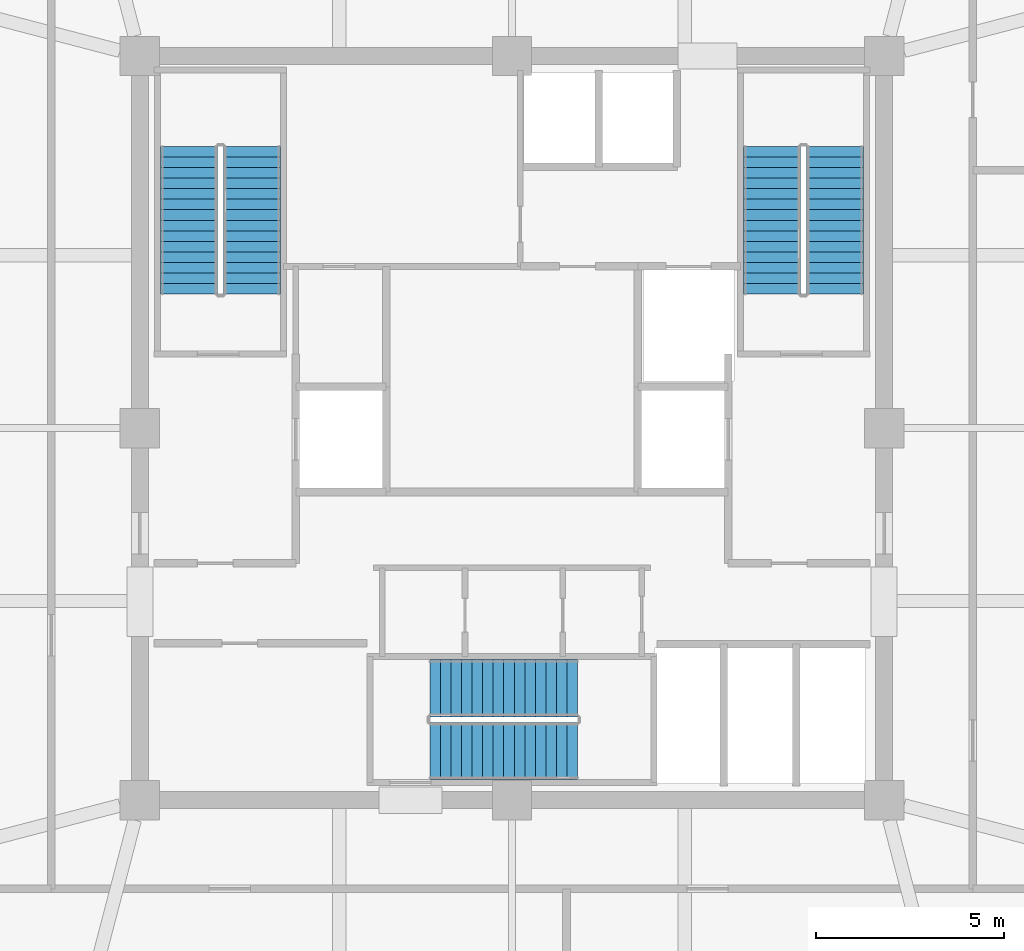
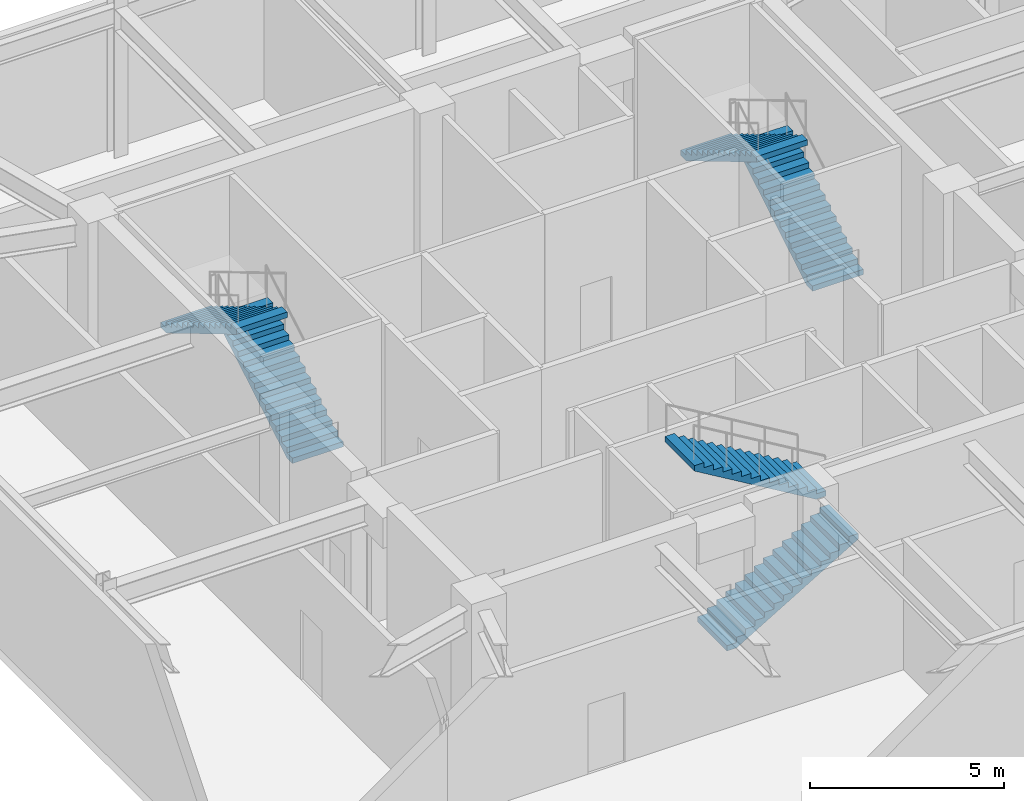
# One storey, part 4 of 5: 6 stair flights, 3 elements without a shape of their own.
"""IFC4 building model written with IfcOpenShell, lengths in metres."""

import ifcopenshell
import ifcopenshell.guid

model = None  # the IFC model being written
_history = None  # IfcOwnerHistory: only IFC2X3 demands one
_inside = {}  # id of a spatial element -> (the spatial element, [elements in it])
_under = {}  # id of a project, library or spatial element -> (it, [spatial elements below it])
_declared = {}  # id of a project -> (the project, [libraries it declares])
_typed = {}  # id of a type object -> (the type object, [elements of that type])
_made_of = {}  # id of a material, layer set ... -> (it, [elements and type objects made of it])


def new_model(schema):
    """Start an empty IFC model of exactly this schema.

    Asked for "IFC4X3", IfcOpenShell would pick the latest addendum, in which some entities
    have other attributes; the version numbers below select the first issue.
    IFC2X3 requires an IfcOwnerHistory on every rooted entity: one is made here for all.
    """
    global model, _history
    if schema == "IFC4X3":
        model = ifcopenshell.file(schema_version=(4, 3, 0, 0))
    else:
        model = ifcopenshell.file(schema=schema)
    _inside.clear()
    _under.clear()
    _declared.clear()
    _typed.clear()
    _made_of.clear()
    _history = None
    if model.schema == "IFC2X3":
        org = make("IfcOrganization", Name="unknown")
        user = make(
            "IfcPersonAndOrganization",
            ThePerson=make("IfcPerson", FamilyName="unknown"),
            TheOrganization=org,
        )
        app = make(
            "IfcApplication",
            ApplicationDeveloper=org,
            Version="unknown",
            ApplicationFullName="unknown",
            ApplicationIdentifier="unknown",
        )
        _history = make(
            "IfcOwnerHistory",
            OwningUser=user,
            OwningApplication=app,
            ChangeAction="ADDED",
            CreationDate=0,
        )
    return model


def make(cls, **values):
    """One entity of the class cls with the attributes given. An attribute that is None is left unset."""
    return model.create_entity(
        cls, **{name: value for name, value in values.items() if value is not None}
    )


def rooted(cls, **values):
    """An entity with a GlobalId (a new one), such as an element, a storey or a relation."""
    return make(cls, GlobalId=ifcopenshell.guid.new(), OwnerHistory=_history, **values)


def si_unit(unit_type, name, prefix=None):
    """IfcSIUnit, for example si_unit("LENGTHUNIT", "METRE", prefix="MILLI")."""
    return make("IfcSIUnit", UnitType=unit_type, Prefix=prefix, Name=name)


def assignment(units):
    """IfcUnitAssignment: the units of a project."""
    return None if units is None else make("IfcUnitAssignment", Units=units)


def point(xyz):
    """IfcCartesianPoint."""
    return None if xyz is None else make("IfcCartesianPoint", Coordinates=xyz)


def direction(xyz):
    """IfcDirection."""
    return None if xyz is None else make("IfcDirection", DirectionRatios=xyz)


def frame(location, z_axis=None, x_axis=None):
    """IfcAxis2Placement3D, a coordinate frame: its origin and axes. An axis left out is left unset."""
    return make(
        "IfcAxis2Placement3D",
        Location=point(location),
        Axis=direction(z_axis),
        RefDirection=direction(x_axis),
    )


def origin():
    """The frame at (0, 0, 0) with its axes left unset."""
    return frame((0.0, 0.0, 0.0))


def place(relative_to, where):
    """IfcLocalPlacement: puts the frame where relative to a parent placement (None: the world)."""
    return make(
        "IfcLocalPlacement", PlacementRelTo=relative_to, RelativePlacement=where
    )


def context(
    kind, dimensions, precision=None, world=None, true_north=None, identifier=None
):
    """IfcGeometricRepresentationContext, for example the 3D "Model" context."""
    return make(
        "IfcGeometricRepresentationContext",
        ContextIdentifier=identifier,
        ContextType=kind,
        CoordinateSpaceDimension=dimensions,
        Precision=precision,
        WorldCoordinateSystem=world,
        TrueNorth=true_north,
    )


def subcontext(parent, identifier, kind, view, scale=None):
    """IfcGeometricRepresentationSubContext, for example "Body" below "Model"."""
    return make(
        "IfcGeometricRepresentationSubContext",
        ContextIdentifier=identifier,
        ContextType=kind,
        ParentContext=parent,
        TargetScale=scale,
        TargetView=view,
    )


def project(units=None, contexts=None):
    """IfcProject with its units and contexts."""
    return rooted(
        "IfcProject",
        Name="project",
        RepresentationContexts=contexts,
        UnitsInContext=assignment(units),
    )


def spatial(cls, under=None, at=None, **own):
    """A site, building, storey or space (cls), placed at a placement, below another one or the project."""
    s = rooted(cls, ObjectPlacement=at, **own)
    if under is not None:
        _under.setdefault(under.id(), (under, []))[1].append(s)
    return s


def polyline(points):
    """IfcPolyline through the points."""
    return make("IfcPolyline", Points=[point(p) for p in points])


def outline(outer, holes=None, kind="AREA"):
    """IfcArbitraryClosedProfileDef: a profile drawn as a closed curve; with holes, ...WithVoids."""
    if holes is None:
        return make("IfcArbitraryClosedProfileDef", ProfileType=kind, OuterCurve=outer)
    return make(
        "IfcArbitraryProfileDefWithVoids",
        ProfileType=kind,
        OuterCurve=outer,
        InnerCurves=holes,
    )


def extrude(swept, where, along, depth):
    """IfcExtrudedAreaSolid: the profile swept, set in the frame where, extruded along a direction by depth."""
    return make(
        "IfcExtrudedAreaSolid",
        SweptArea=swept,
        Position=where,
        ExtrudedDirection=direction(along),
        Depth=depth,
    )


def shape(context_of_items, identifier, shape_type, items):
    """IfcShapeRepresentation: the items that make up one representation, for example the "Body"."""
    return make(
        "IfcShapeRepresentation",
        ContextOfItems=context_of_items,
        RepresentationIdentifier=identifier,
        RepresentationType=shape_type,
        Items=items,
    )


def material(Name=None, Category=None):
    """IfcMaterial."""
    return make("IfcMaterial", Name=Name, Category=Category)


def made_of(thing, what):
    """Note that an element or type object is made of a material, layer set ...; save() writes the relation."""
    if what is not None:
        _made_of.setdefault(what.id(), (what, []))[1].append(thing)
    return thing


def type_object(cls, material=None, **own):
    """A type object (cls), such as IfcWallType, which elements share."""
    return made_of(rooted(cls, **own), material)


def element(
    cls,
    number,
    at=None,
    inside=None,
    cuts=None,
    type_object=None,
    material=None,
    context=None,
    identifier="Body",
    shape_type=None,
    held_by="IfcProductDefinitionShape",
    body=None,
    shapes=None,
    **own,
):
    """One element of the class cls, such as IfcWall. Its Tag is "e" and its number.

    at: its placement. inside: the storey or other place that contains it. cuts: it is an
    opening in that element (IfcRelVoidsElement). A single representation is given by context,
    identifier, shape_type and body (its items); several are given by shapes. held_by: the class
    of the entity that holds the representations. save() writes the other relations.
    """
    e = rooted(cls, Tag="e%d" % number, ObjectPlacement=at, **own)
    if body is not None:
        shapes = [shape(context, identifier, shape_type, body)]
    if shapes is not None:
        e.Representation = make(held_by, Representations=shapes)
    if inside is not None:
        _inside.setdefault(inside.id(), (inside, []))[1].append(e)
    if cuts is not None:
        rooted(
            "IfcRelVoidsElement", RelatingBuildingElement=cuts, RelatedOpeningElement=e
        )
    if type_object is not None:
        _typed.setdefault(type_object.id(), (type_object, []))[1].append(e)
    return made_of(e, material)


def aggregate(whole, parts):
    """IfcRelAggregates: a whole, such as a stair, and the parts it consists of."""
    return rooted("IfcRelAggregates", RelatingObject=whole, RelatedObjects=parts)


def save(model, path):
    """Write the relations noted so far, then the file.

    IfcRelAggregates (storeys below a building ...), IfcRelContainedInSpatialStructure (elements
    in a storey), IfcRelDefinesByType, IfcRelAssociatesMaterial and IfcRelDeclares: one each for
    every whole, place, type object, material and project.
    """
    for whole, parts in _under.values():
        aggregate(whole, parts)
    for where, things in _inside.values():
        rooted(
            "IfcRelContainedInSpatialStructure",
            RelatedElements=things,
            RelatingStructure=where,
        )
    for kind, things in _typed.values():
        rooted("IfcRelDefinesByType", RelatedObjects=things, RelatingType=kind)
    for what, things in _made_of.values():
        rooted("IfcRelAssociatesMaterial", RelatedObjects=things, RelatingMaterial=what)
    for by, libraries in _declared.values():
        rooted("IfcRelDeclares", RelatingContext=by, RelatedDefinitions=libraries)
    model.write(path)


model = new_model("IFC4")

# Units and contexts
model_context = context("Model", 3, precision=1e-05, world=origin(), true_north=direction((0.0, 1.0)))
body_context = subcontext(model_context, "Body", "Model", "MODEL_VIEW")
ifc_project = project(units=[si_unit("LENGTHUNIT", "METRE"), si_unit("AREAUNIT", "SQUARE_METRE"), si_unit("VOLUMEUNIT", "CUBIC_METRE"), si_unit("PLANEANGLEUNIT", "RADIAN"), si_unit("MASSUNIT", "GRAM", prefix="KILO")], contexts=[model_context])

# Site, building, storey
site_placement = place(None, origin())
site = spatial("IfcSite", under=ifc_project, at=site_placement, CompositionType="ELEMENT")
building_placement = place(site_placement, origin())
building = spatial("IfcBuilding", under=site, at=building_placement, Name="Kolvaren Belvedere", CompositionType="ELEMENT")
storey_placement = place(building_placement, frame((0.0, 0.0, 272.39990234375)))
storey = spatial("IfcBuildingStorey", under=building, at=storey_placement, Name="L78", CompositionType="ELEMENT", Elevation=272.39990234375)

# Stair, stair flights
ifc_material_1 = material(Name="Concrete C50/60", Category="concrete")
stair_type = type_object("IfcStairType", Name="ST-CORE-1520", PredefinedType="HALF_TURN_STAIR", material=ifc_material_1)
stair_1_placement = place(storey_placement, origin())
stair_1 = element("IfcStair", 1, at=stair_1_placement, inside=storey, type_object=stair_type, Name="L78 Protected Exit Stair ST-1", PredefinedType="HALF_TURN_STAIR")
ifc_material_2 = material(Name="Concrete C50/60", Category="concrete")
stair_flight_type = type_object("IfcStairFlightType", Name="SF-STR-1520", PredefinedType="STRAIGHT", material=ifc_material_2)
stair_flight_1_placement = place(storey_placement, frame((-6.919921875, 3.570068359375, 0.0), z_axis=(0.0, 0.0, 1.0), x_axis=(0.0, 1.0, 0.0)))
stair_flight_1 = element("IfcStairFlight", 2, at=stair_flight_1_placement, type_object=stair_flight_type, Name="ST-1 flight 1", NumberOfRisers=15, NumberOfTreads=14, PredefinedType="STRAIGHT", RiserHeight=0.166666667, TreadLength=0.28, context=body_context, shape_type="SweptSolid", body=[
    extrude(outline(polyline([(0.0, 0.0), (0.0, 0.166748046875), (0.280029296875, 0.166748046875), (0.280029296875, 0.333251953125), (0.56005859375, 0.333251953125), (0.56005859375, 0.5), (0.840087890625, 0.5), (0.840087890625, 0.666748046875), (1.1201171875, 0.666748046875), (1.1201171875, 0.833251953125), (1.39990234375, 0.833251953125), (1.39990234375, 1.0), (1.679931640625, 1.0), (1.679931640625, 1.166748046875), (1.9599609375, 1.166748046875), (1.9599609375, 1.333251953125), (2.239990234375, 1.333251953125), (2.239990234375, 1.5), (2.52001953125, 1.5), (2.52001953125, 1.666748046875), (2.800048828125, 1.666748046875), (2.800048828125, 1.833251953125), (3.080078125, 1.833251953125), (3.080078125, 2.0), (3.360107421875, 2.0), (3.360107421875, 2.166748046875), (3.639892578125, 2.166748046875), (3.639892578125, 2.333251953125), (3.919921875, 2.333251953125), (3.919921875, 2.5), (3.919921875, 2.158935546875), (0.29296875, 0.0), (0.0, 0.0)])), frame((0.0, 0.760009765625, 0.0), z_axis=(0.0, -1.0, 0.0), x_axis=(1.0, 0.0, 0.0)), (0.0, 0.0, 1.0), 1.52001953125),
])
stair_flight_2_placement = place(storey_placement, frame((-8.590087890625, 7.489990234375, 2.5), z_axis=(0.0, 0.0, 1.0), x_axis=(0.0, -1.0, 0.0)))
stair_flight_2 = element("IfcStairFlight", 3, at=stair_flight_2_placement, type_object=stair_flight_type, Name="ST-1 flight 2", NumberOfRisers=15, NumberOfTreads=14, PredefinedType="STRAIGHT", RiserHeight=0.166666667, TreadLength=0.28, context=body_context, shape_type="SweptSolid", body=[
    extrude(outline(polyline([(0.0, 0.0), (0.0, 0.166748046875), (0.280029296875, 0.166748046875), (0.280029296875, 0.333251953125), (0.56005859375, 0.333251953125), (0.56005859375, 0.5), (0.840087890625, 0.5), (0.840087890625, 0.666748046875), (1.1201171875, 0.666748046875), (1.1201171875, 0.833251953125), (1.39990234375, 0.833251953125), (1.39990234375, 1.0), (1.679931640625, 1.0), (1.679931640625, 1.166748046875), (1.9599609375, 1.166748046875), (1.9599609375, 1.333251953125), (2.239990234375, 1.333251953125), (2.239990234375, 1.5), (2.52001953125, 1.5), (2.52001953125, 1.666748046875), (2.800048828125, 1.666748046875), (2.800048828125, 1.833251953125), (3.080078125, 1.833251953125), (3.080078125, 2.0), (3.360107421875, 2.0), (3.360107421875, 2.166748046875), (3.639892578125, 2.166748046875), (3.639892578125, 2.333251953125), (3.919921875, 2.333251953125), (3.919921875, 2.5), (3.919921875, 2.158935546875), (0.29296875, 0.0), (0.0, 0.0)])), frame((0.0, 0.760009765625, 0.0), z_axis=(0.0, -1.0, 0.0), x_axis=(1.0, 0.0, 0.0)), (0.0, 0.0, 1.0), 1.52001953125),
])
aggregate(stair_1, [stair_flight_1, stair_flight_2])

stair_2_placement = place(storey_placement, origin())
stair_2 = element("IfcStair", 4, at=stair_2_placement, inside=storey, type_object=stair_type, Name="L78 Protected Exit Stair ST-2", PredefinedType="HALF_TURN_STAIR")
stair_flight_3_placement = place(storey_placement, frame((8.590087890625, 3.570068359375, 0.0), z_axis=(0.0, 0.0, 1.0), x_axis=(0.0, 1.0, 0.0)))
stair_flight_3 = element("IfcStairFlight", 5, at=stair_flight_3_placement, type_object=stair_flight_type, Name="ST-2 flight 1", NumberOfRisers=15, NumberOfTreads=14, PredefinedType="STRAIGHT", RiserHeight=0.166666667, TreadLength=0.28, context=body_context, shape_type="SweptSolid", body=[
    extrude(outline(polyline([(0.0, 0.0), (0.0, 0.166748046875), (0.280029296875, 0.166748046875), (0.280029296875, 0.333251953125), (0.56005859375, 0.333251953125), (0.56005859375, 0.5), (0.840087890625, 0.5), (0.840087890625, 0.666748046875), (1.1201171875, 0.666748046875), (1.1201171875, 0.833251953125), (1.39990234375, 0.833251953125), (1.39990234375, 1.0), (1.679931640625, 1.0), (1.679931640625, 1.166748046875), (1.9599609375, 1.166748046875), (1.9599609375, 1.333251953125), (2.239990234375, 1.333251953125), (2.239990234375, 1.5), (2.52001953125, 1.5), (2.52001953125, 1.666748046875), (2.800048828125, 1.666748046875), (2.800048828125, 1.833251953125), (3.080078125, 1.833251953125), (3.080078125, 2.0), (3.360107421875, 2.0), (3.360107421875, 2.166748046875), (3.639892578125, 2.166748046875), (3.639892578125, 2.333251953125), (3.919921875, 2.333251953125), (3.919921875, 2.5), (3.919921875, 2.158935546875), (0.29296875, 0.0), (0.0, 0.0)])), frame((0.0, 0.760009765625, 0.0), z_axis=(0.0, -1.0, 0.0), x_axis=(1.0, 0.0, 0.0)), (0.0, 0.0, 1.0), 1.52001953125),
])
stair_flight_4_placement = place(storey_placement, frame((6.919921875, 7.489990234375, 2.5), z_axis=(0.0, 0.0, 1.0), x_axis=(0.0, -1.0, 0.0)))
stair_flight_4 = element("IfcStairFlight", 6, at=stair_flight_4_placement, type_object=stair_flight_type, Name="ST-2 flight 2", NumberOfRisers=15, NumberOfTreads=14, PredefinedType="STRAIGHT", RiserHeight=0.166666667, TreadLength=0.28, context=body_context, shape_type="SweptSolid", body=[
    extrude(outline(polyline([(0.0, 0.0), (0.0, 0.166748046875), (0.280029296875, 0.166748046875), (0.280029296875, 0.333251953125), (0.56005859375, 0.333251953125), (0.56005859375, 0.5), (0.840087890625, 0.5), (0.840087890625, 0.666748046875), (1.1201171875, 0.666748046875), (1.1201171875, 0.833251953125), (1.39990234375, 0.833251953125), (1.39990234375, 1.0), (1.679931640625, 1.0), (1.679931640625, 1.166748046875), (1.9599609375, 1.166748046875), (1.9599609375, 1.333251953125), (2.239990234375, 1.333251953125), (2.239990234375, 1.5), (2.52001953125, 1.5), (2.52001953125, 1.666748046875), (2.800048828125, 1.666748046875), (2.800048828125, 1.833251953125), (3.080078125, 1.833251953125), (3.080078125, 2.0), (3.360107421875, 2.0), (3.360107421875, 2.166748046875), (3.639892578125, 2.166748046875), (3.639892578125, 2.333251953125), (3.919921875, 2.333251953125), (3.919921875, 2.5), (3.919921875, 2.158935546875), (0.29296875, 0.0), (0.0, 0.0)])), frame((0.0, 0.760009765625, 0.0), z_axis=(0.0, -1.0, 0.0), x_axis=(1.0, 0.0, 0.0)), (0.0, 0.0, 1.0), 1.52001953125),
])
aggregate(stair_2, [stair_flight_3, stair_flight_4])

stair_3_placement = place(storey_placement, origin())
stair_3 = element("IfcStair", 7, at=stair_3_placement, inside=storey, type_object=stair_type, Name="L78 Protected Exit Stair ST-3", PredefinedType="HALF_TURN_STAIR")
stair_flight_5_placement = place(storey_placement, frame((-2.179931640625, -8.590087890625, 0.0), z_axis=(0.0, 0.0, 1.0), x_axis=(1.0, 0.0, 0.0)))
stair_flight_5 = element("IfcStairFlight", 8, at=stair_flight_5_placement, type_object=stair_flight_type, Name="ST-3 flight 1", NumberOfRisers=15, NumberOfTreads=14, PredefinedType="STRAIGHT", RiserHeight=0.166666667, TreadLength=0.28, context=body_context, shape_type="SweptSolid", body=[
    extrude(outline(polyline([(0.0, 0.0), (0.0, 0.166748046875), (0.280029296875, 0.166748046875), (0.280029296875, 0.333251953125), (0.56005859375, 0.333251953125), (0.56005859375, 0.5), (0.840087890625, 0.5), (0.840087890625, 0.666748046875), (1.1201171875, 0.666748046875), (1.1201171875, 0.833251953125), (1.39990234375, 0.833251953125), (1.39990234375, 1.0), (1.679931640625, 1.0), (1.679931640625, 1.166748046875), (1.9599609375, 1.166748046875), (1.9599609375, 1.333251953125), (2.239990234375, 1.333251953125), (2.239990234375, 1.5), (2.52001953125, 1.5), (2.52001953125, 1.666748046875), (2.800048828125, 1.666748046875), (2.800048828125, 1.833251953125), (3.080078125, 1.833251953125), (3.080078125, 2.0), (3.360107421875, 2.0), (3.360107421875, 2.166748046875), (3.639892578125, 2.166748046875), (3.639892578125, 2.333251953125), (3.919921875, 2.333251953125), (3.919921875, 2.5), (3.919921875, 2.158935546875), (0.29296875, 0.0), (0.0, 0.0)])), frame((0.0, 0.760009765625, 0.0), z_axis=(0.0, -1.0, 0.0), x_axis=(1.0, 0.0, 0.0)), (0.0, 0.0, 1.0), 1.52001953125),
])
stair_flight_6_placement = place(storey_placement, frame((1.739990234375, -6.919921875, 2.5), z_axis=(0.0, 0.0, 1.0), x_axis=(-1.0, 0.0, 0.0)))
stair_flight_6 = element("IfcStairFlight", 9, at=stair_flight_6_placement, type_object=stair_flight_type, Name="ST-3 flight 2", NumberOfRisers=15, NumberOfTreads=14, PredefinedType="STRAIGHT", RiserHeight=0.166666667, TreadLength=0.28, context=body_context, shape_type="SweptSolid", body=[
    extrude(outline(polyline([(0.0, 0.0), (0.0, 0.166748046875), (0.280029296875, 0.166748046875), (0.280029296875, 0.333251953125), (0.56005859375, 0.333251953125), (0.56005859375, 0.5), (0.840087890625, 0.5), (0.840087890625, 0.666748046875), (1.1201171875, 0.666748046875), (1.1201171875, 0.833251953125), (1.39990234375, 0.833251953125), (1.39990234375, 1.0), (1.679931640625, 1.0), (1.679931640625, 1.166748046875), (1.9599609375, 1.166748046875), (1.9599609375, 1.333251953125), (2.239990234375, 1.333251953125), (2.239990234375, 1.5), (2.52001953125, 1.5), (2.52001953125, 1.666748046875), (2.800048828125, 1.666748046875), (2.800048828125, 1.833251953125), (3.080078125, 1.833251953125), (3.080078125, 2.0), (3.360107421875, 2.0), (3.360107421875, 2.166748046875), (3.639892578125, 2.166748046875), (3.639892578125, 2.333251953125), (3.919921875, 2.333251953125), (3.919921875, 2.5), (3.919921875, 2.158935546875), (0.29296875, 0.0), (0.0, 0.0)])), frame((0.0, 0.760009765625, 0.0), z_axis=(0.0, -1.0, 0.0), x_axis=(1.0, 0.0, 0.0)), (0.0, 0.0, 1.0), 1.52001953125),
])
aggregate(stair_3, [stair_flight_5, stair_flight_6])

save(model, "model.ifc")
